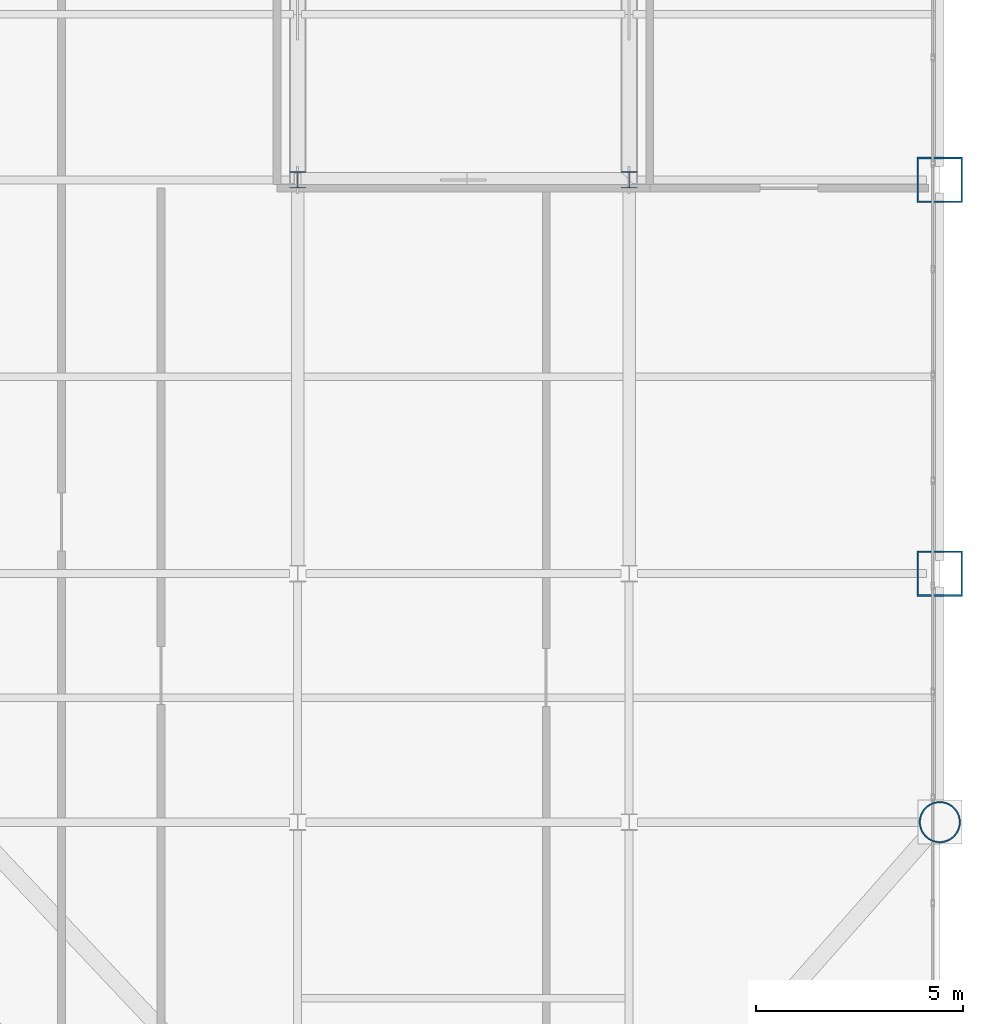
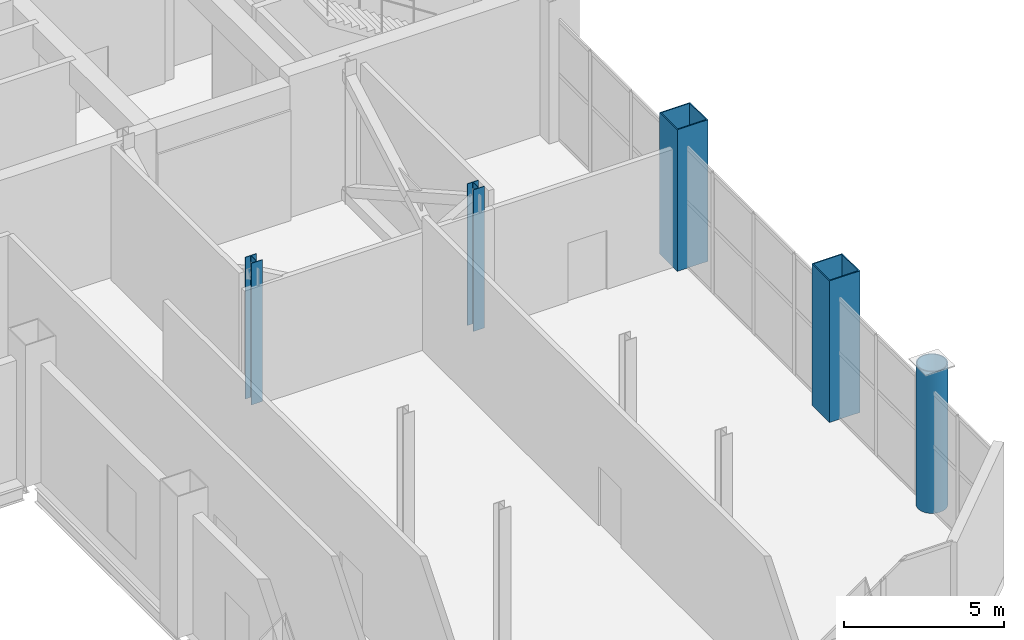
# One storey, part 2 of 24: 5 columns.
"""IFC4 building model written with IfcOpenShell, lengths in metres."""

from ifc_helpers import new_model, si_unit, direction, frame, origin, origin_2d, place, context, subcontext, project, spatial, hollow_rectangle, hollow_circle, i_section, extrude, material, material_profile, profile_set, type_object, element, save


model = new_model("IFC4")

# Units and contexts
model_context = context("Model", 3, precision=1e-05, world=origin(), true_north=direction((0.0, 1.0)))
body_context = subcontext(model_context, "Body", "Model", "MODEL_VIEW")
ifc_project = project(units=[si_unit("LENGTHUNIT", "METRE"), si_unit("AREAUNIT", "SQUARE_METRE"), si_unit("VOLUMEUNIT", "CUBIC_METRE"), si_unit("PLANEANGLEUNIT", "RADIAN"), si_unit("MASSUNIT", "GRAM", prefix="KILO")], contexts=[model_context])

# Site, building, storey
site_placement = place(None, origin())
site = spatial("IfcSite", under=ifc_project, at=site_placement, CompositionType="ELEMENT")
building_placement = place(site_placement, origin())
building = spatial("IfcBuilding", under=site, at=building_placement, Name="Qianrong Seaharbour Tower", CompositionType="ELEMENT")
storey_placement = place(building_placement, frame((0.0, 0.0, 195.0)))
storey = spatial("IfcBuildingStorey", under=building, at=storey_placement, Name="L47", CompositionType="ELEMENT", Elevation=195.0)

# Columns
ifc_material = material(Name="Structural steel SN490B", Category="steel")
ifc_material_profile_1 = material_profile(ifc_material, hollow_rectangle(XDim=1.10009765625, YDim=1.10009765625, WallThickness=0.0400390625, at=origin_2d()), Name="BOX1100x1100x40")
ifc_profile_set_1 = profile_set([ifc_material_profile_1], Name="Structural steel SN490B")
column_type_1 = type_object("IfcColumnType", Name="COL-CFT-1100", PredefinedType="COLUMN", material=ifc_profile_set_1)
for number, where, z_axis, x_axis, name in (
    (1, (64.0, 18.5, 0.0), (0.0, 0.0, 1.0), (1.0, 0.0, 0.0), "L47 Column MC-3 at G9/GD"),
    (2, (64.0, 28.0, 0.0), (0.0, 0.0, 1.0), (1.0, 0.0, 0.0), "L47 Column MC-3 at G9/GE"),
):
    element("IfcColumn", number, at=place(storey_placement, frame(where, z_axis=z_axis, x_axis=x_axis)), inside=storey, type_object=column_type_1, Name=name, PredefinedType="COLUMN", context=body_context, shape_type="SweptSolid", body=[
        extrude(hollow_rectangle(XDim=1.10009765625, YDim=1.10009765625, WallThickness=0.0400390625, at=origin_2d()), origin(), (0.0, 0.0, 1.0), 5.39990234375),
    ])
ifc_material_profile_2 = material_profile(ifc_material, hollow_circle(Radius=0.5, WallThickness=0.035888671875, at=origin_2d()), Name="CHS1000x36")
ifc_profile_set_2 = profile_set([ifc_material_profile_2], Name="Structural steel SN490B")
column_type_2 = type_object("IfcColumnType", Name="COL-CHS-1000", PredefinedType="COLUMN", material=ifc_profile_set_2)
column_placement = place(storey_placement, frame((64.0, 12.5, 0.0), z_axis=(0.0, 0.0, 1.0), x_axis=(1.0, 0.0, 0.0)))
element("IfcColumn", 3, at=column_placement, inside=storey, type_object=column_type_2, Name="L47 Column CC-2 at G9/GC", PredefinedType="COLUMN", context=body_context, shape_type="SweptSolid", body=[
    extrude(hollow_circle(Radius=0.5, WallThickness=0.035888671875, at=origin_2d()), origin(), (0.0, 0.0, 1.0), 5.39990234375),
])
ifc_material_profile_3 = material_profile(ifc_material, i_section(OverallWidth=0.39990234375, OverallDepth=0.39990234375, WebThickness=0.012939453125, FlangeThickness=0.02099609375, FilletRadius=0.02197265625, at=origin_2d()), Name="H400x400x13x21")
ifc_profile_set_3 = profile_set([ifc_material_profile_3], Name="Structural steel SN490B")
column_type_3 = type_object("IfcColumnType", Name="COL-INT-H400", PredefinedType="COLUMN", material=ifc_profile_set_3)
for number, where, z_axis, x_axis, name in (
    (4, (48.5, 28.0, 0.0), (0.0, 0.0, 1.0), (1.0, 0.0, 0.0), "L47 Column IC-3 at G7/GE"),
    (5, (56.5, 28.0, 0.0), (0.0, 0.0, 1.0), (1.0, 0.0, 0.0), "L47 Column IC-3 at G8/GE"),
):
    element("IfcColumn", number, at=place(storey_placement, frame(where, z_axis=z_axis, x_axis=x_axis)), inside=storey, type_object=column_type_3, Name=name, PredefinedType="COLUMN", context=body_context, shape_type="SweptSolid", body=[
        extrude(i_section(OverallWidth=0.39990234375, OverallDepth=0.39990234375, WebThickness=0.012939453125, FlangeThickness=0.02099609375, FilletRadius=0.02197265625, at=origin_2d()), origin(), (0.0, 0.0, 1.0), 5.39990234375),
    ])

save(model, "model.ifc")
